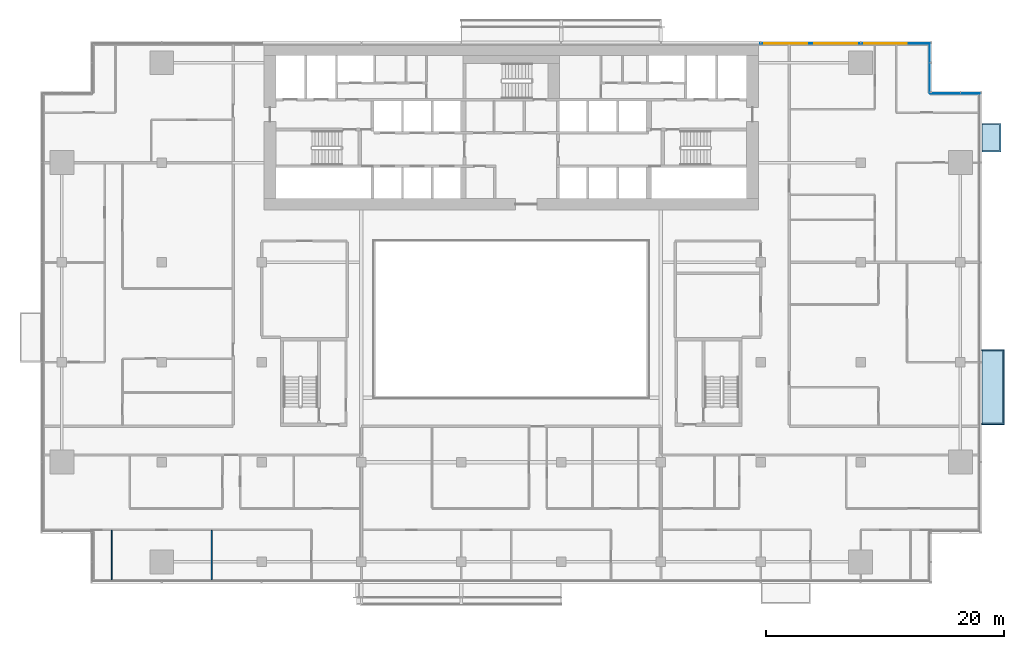
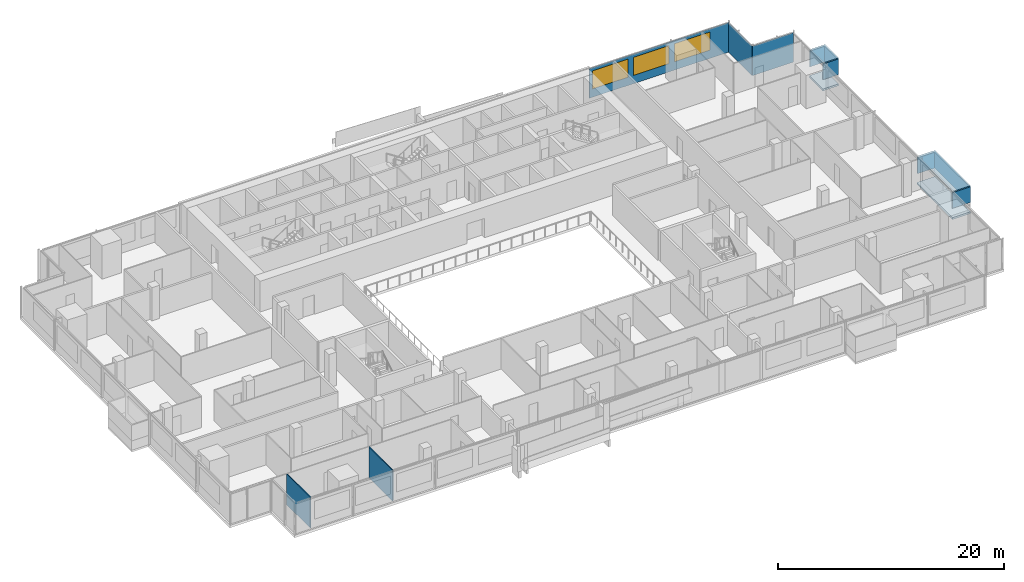
# One storey, part 16 of 26: 7 plates, 3 windows, 2 slabs, 2 walls, 3 openings, 3 elements without a shape of their own.
"""IFC4 building model written with IfcOpenShell, lengths in metres."""

from ifc_helpers import new_model, si_unit, direction, frame, frame_2d, origin, place, context, subcontext, project, spatial, polyline, rectangle, outline, extrude, material, layer, layer_set, type_object, element, fill, aggregate, save


model = new_model("IFC4")

# Units and contexts
model_context = context("Model", 3, precision=1e-05, world=origin(), true_north=direction((0.0, 1.0)))
body_context = subcontext(model_context, "Body", "Model", "MODEL_VIEW")
ifc_project = project(units=[si_unit("LENGTHUNIT", "METRE"), si_unit("AREAUNIT", "SQUARE_METRE"), si_unit("VOLUMEUNIT", "CUBIC_METRE"), si_unit("PLANEANGLEUNIT", "RADIAN"), si_unit("MASSUNIT", "GRAM", prefix="KILO")], contexts=[model_context])

# Site, building, storey
site_placement = place(None, origin())
site = spatial("IfcSite", under=ifc_project, at=site_placement, CompositionType="ELEMENT")
building_placement = place(site_placement, origin())
building = spatial("IfcBuilding", under=site, at=building_placement, Name="Saffron Gate Tower", CompositionType="ELEMENT")
storey_placement = place(building_placement, frame((0.0, 0.0, 120.449951171875)))
storey = spatial("IfcBuildingStorey", under=building, at=storey_placement, Name="L28", CompositionType="ELEMENT", Elevation=120.449951171875)

# Curtain wall, plate, openings, windows
ifc_material_1 = material(Name="Aluminium, bronze anodised", Category="aluminium")
curtain_wall_type_1 = type_object("IfcCurtainWallType", Name="CWS3 curtain wall rear facade", PredefinedType="NOTDEFINED", material=ifc_material_1)
curtain_wall_1_placement = place(storey_placement, origin())
curtain_wall_1 = element("IfcCurtainWall", 1, at=curtain_wall_1_placement, inside=storey, type_object=curtain_wall_type_1, Name="CWS3 run 7", PredefinedType="NOTDEFINED")
ifc_material_2 = material(Name="Fritted grey-tinted laminated glass", Category="glass")
ifc_layer_1 = layer(ifc_material_2, 0.028076171875)
ifc_layer_set_1 = layer_set([ifc_layer_1], Name="CWS3 fixed glass")
plate_type_1 = type_object("IfcPlateType", Name="CWS3 fixed glass", PredefinedType="CURTAIN_PANEL", material=ifc_layer_set_1)
plate_1_placement = place(storey_placement, frame((122.81201171875, 75.426025390625, 0.0), z_axis=(0.0, 0.0, 1.0), x_axis=(-1.0, 0.0, 0.0)))
plate_1 = element("IfcPlate", 2, at=plate_1_placement, type_object=plate_type_1, Name="CWS3 glass panel", PredefinedType="CURTAIN_PANEL", context=body_context, shape_type="SweptSolid", body=[
    extrude(rectangle(XDim=14.2470703125, YDim=0.028076171875, at=frame_2d((7.12353515625, 0.0))), origin(), (0.0, 0.0, 1.0), 3.199951171875),
])
opening_1_placement = place(plate_1_placement, frame((1.912109375, 0.0, 0.89990234375)))
opening_1 = element("IfcOpeningElement", 3, at=opening_1_placement, cuts=plate_1, Name="Opening W1", PredefinedType="OPENING", context=body_context, shape_type="SweptSolid", body=[
    extrude(rectangle(XDim=3.60009765625, YDim=1.949951171875, at=frame_2d((1.800048828125, 0.97509765625))), frame((0.0, 0.02392578125, 0.0), z_axis=(0.0, -1.0, 0.0), x_axis=(1.0, 0.0, 0.0)), (0.0, 0.0, 1.0), 0.048095703125),
])
opening_2_placement = place(plate_1_placement, frame((6.112060546875, 0.0, 0.89990234375)))
opening_2 = element("IfcOpeningElement", 4, at=opening_2_placement, cuts=plate_1, Name="Opening W1", PredefinedType="OPENING", context=body_context, shape_type="SweptSolid", body=[
    extrude(rectangle(XDim=3.60009765625, YDim=1.949951171875, at=frame_2d((1.800048828125, 0.97509765625))), frame((0.0, 0.02392578125, 0.0), z_axis=(0.0, -1.0, 0.0), x_axis=(1.0, 0.0, 0.0)), (0.0, 0.0, 1.0), 0.048095703125),
])
opening_3_placement = place(plate_1_placement, frame((10.31201171875, 0.0, 0.89990234375)))
opening_3 = element("IfcOpeningElement", 5, at=opening_3_placement, cuts=plate_1, Name="Opening W1", PredefinedType="OPENING", context=body_context, shape_type="SweptSolid", body=[
    extrude(rectangle(XDim=3.60009765625, YDim=1.949951171875, at=frame_2d((1.800048828125, 0.97509765625))), frame((0.0, 0.02392578125, 0.0), z_axis=(0.0, -1.0, 0.0), x_axis=(1.0, 0.0, 0.0)), (0.0, 0.0, 1.0), 0.048095703125),
])
ifc_material_3 = material(Name="Fritted bronze-tinted laminated glass in bronze frame", Category="glass")
ifc_layer_2 = layer(ifc_material_3, 0.06005859375)
ifc_layer_set_2 = layer_set([ifc_layer_2], Name="W1 operable panel 3600x1950")
window_type = type_object("IfcWindowType", Name="W1 operable panel 3600x1950", PartitioningType="DOUBLE_PANEL_HORIZONTAL", PredefinedType="WINDOW", material=ifc_layer_set_2)
window_1_placement = place(opening_1_placement, origin())
window_1 = element("IfcWindow", 6, at=window_1_placement, type_object=window_type, Name="W1 operable panel", OverallHeight=1.949951171875, OverallWidth=3.60009765625, PartitioningType="SINGLE_PANEL", PredefinedType="WINDOW", context=body_context, shape_type="SweptSolid", body=[
    extrude(rectangle(XDim=3.60009765625, YDim=1.949951171875, at=frame_2d((1.800048828125, 0.97509765625))), frame((0.0, 0.013671875, 0.0), z_axis=(0.0, -1.0, 0.0), x_axis=(1.0, 0.0, 0.0)), (0.0, 0.0, 1.0), 0.027587890625),
])
fill(opening_1, window_1)
window_2_placement = place(opening_2_placement, origin())
window_2 = element("IfcWindow", 7, at=window_2_placement, type_object=window_type, Name="W1 operable panel", OverallHeight=1.949951171875, OverallWidth=3.60009765625, PartitioningType="SINGLE_PANEL", PredefinedType="WINDOW", context=body_context, shape_type="SweptSolid", body=[
    extrude(rectangle(XDim=3.60009765625, YDim=1.949951171875, at=frame_2d((1.800048828125, 0.97509765625))), frame((0.0, 0.013671875, 0.0), z_axis=(0.0, -1.0, 0.0), x_axis=(1.0, 0.0, 0.0)), (0.0, 0.0, 1.0), 0.027587890625),
])
fill(opening_2, window_2)
window_3_placement = place(opening_3_placement, origin())
window_3 = element("IfcWindow", 8, at=window_3_placement, type_object=window_type, Name="W1 operable panel", OverallHeight=1.949951171875, OverallWidth=3.60009765625, PartitioningType="SINGLE_PANEL", PredefinedType="WINDOW", context=body_context, shape_type="SweptSolid", body=[
    extrude(rectangle(XDim=3.60009765625, YDim=1.949951171875, at=frame_2d((1.800048828125, 0.97509765625))), frame((0.0, 0.013671875, 0.0), z_axis=(0.0, -1.0, 0.0), x_axis=(1.0, 0.0, 0.0)), (0.0, 0.0, 1.0), 0.027587890625),
])
fill(opening_3, window_3)
aggregate(curtain_wall_1, [plate_1, window_1, window_2, window_3])

# Curtain wall, plate
curtain_wall_type_2 = type_object("IfcCurtainWallType", Name="CWS4 curtain wall corner returns", PredefinedType="NOTDEFINED", material=ifc_material_1)
curtain_wall_2_placement = place(storey_placement, origin())
curtain_wall_2 = element("IfcCurtainWall", 9, at=curtain_wall_2_placement, inside=storey, type_object=curtain_wall_type_2, Name="CWS4 run 5", PredefinedType="NOTDEFINED")
ifc_material_4 = material(Name="Fritted bronze-tinted laminated glass", Category="glass")
ifc_layer_3 = layer(ifc_material_4, 0.028076171875)
ifc_layer_set_3 = layer_set([ifc_layer_3], Name="CWS4 fixed glass")
plate_type_2 = type_object("IfcPlateType", Name="CWS4 fixed glass", PredefinedType="CURTAIN_PANEL", material=ifc_layer_set_3)
plate_2_placement = place(storey_placement, frame((127.011962890625, 71.22607421875, 0.0), z_axis=(0.0, 0.0, 1.0), x_axis=(-1.0, 0.0, 0.0)))
plate_2 = element("IfcPlate", 10, at=plate_2_placement, type_object=plate_type_2, Name="CWS4 glass panel", PredefinedType="CURTAIN_PANEL", context=body_context, shape_type="SweptSolid", body=[
    extrude(rectangle(XDim=4.171875, YDim=0.028076171875, at=frame_2d((2.0859375, 0.0))), origin(), (0.0, 0.0, 1.0), 3.199951171875),
])
aggregate(curtain_wall_2, [plate_2])

curtain_wall_3_placement = place(storey_placement, origin())
curtain_wall_3 = element("IfcCurtainWall", 11, at=curtain_wall_3_placement, inside=storey, type_object=curtain_wall_type_2, Name="CWS4 run 6", PredefinedType="NOTDEFINED")
plate_3_placement = place(storey_placement, frame((122.825927734375, 71.239990234375, 0.0), z_axis=(0.0, 0.0, 1.0), x_axis=(0.0, 1.0, 0.0)))
plate_3 = element("IfcPlate", 12, at=plate_3_placement, type_object=plate_type_2, Name="CWS4 glass panel", PredefinedType="CURTAIN_PANEL", context=body_context, shape_type="SweptSolid", body=[
    extrude(rectangle(XDim=4.172119140625, YDim=0.028076171875, at=frame_2d((2.0859375, 0.0))), origin(), (0.0, 0.0, 1.0), 3.199951171875),
])
aggregate(curtain_wall_3, [plate_3])

# Slabs
ifc_material_5 = material(Name="Timber deck on bronze frame", Category="wood")
ifc_layer_4 = layer(ifc_material_5, 0.199951171875)
ifc_layer_set_4 = layer_set([ifc_layer_4], Name="WB1 box floor")
slab_type = type_object("IfcSlabType", Name="WB1 box floor", PredefinedType="FLOOR", material=ifc_layer_set_4)
slab_1_placement = place(storey_placement, frame((0.0, 0.0, -0.199951171875)))
element("IfcSlab", 13, at=slab_1_placement, inside=storey, type_object=slab_type, Name="WINDOW BOX floor", PredefinedType="FLOOR", context=body_context, shape_type="SweptSolid", body=[
    extrude(outline(polyline([(127.199951171875, 43.35009765625), (127.199951171875, 49.64990234375), (129.06689453125, 49.64990234375), (129.06689453125, 43.35009765625), (127.199951171875, 43.35009765625)])), origin(), (0.0, 0.0, 1.0), 0.199951171875),
])
slab_2_placement = place(storey_placement, frame((0.0, 0.0, -0.199951171875)))
element("IfcSlab", 14, at=slab_2_placement, inside=storey, type_object=slab_type, Name="WINDOW BOX floor", PredefinedType="FLOOR", context=body_context, shape_type="SweptSolid", body=[
    extrude(outline(polyline([(127.199951171875, 66.300048828125), (127.199951171875, 68.699951171875), (128.800048828125, 68.699951171875), (128.800048828125, 66.300048828125), (127.199951171875, 66.300048828125)])), origin(), (0.0, 0.0, 1.0), 0.199951171875),
])

# Plates
ifc_layer_5 = layer(ifc_material_1, 0.1201171875)
ifc_layer_set_5 = layer_set([ifc_layer_5], Name="WB2 box roof")
plate_type_3 = type_object("IfcPlateType", Name="WB2 box roof", PredefinedType="SHEET", material=ifc_layer_set_5)
plate_4_placement = place(storey_placement, frame((0.0, 0.0, 2.699951171875)))
element("IfcPlate", 15, at=plate_4_placement, inside=storey, type_object=plate_type_3, Name="WINDOW BOX roof", PredefinedType="SHEET", context=body_context, shape_type="SweptSolid", body=[
    extrude(outline(polyline([(127.199951171875, 43.35009765625), (127.199951171875, 49.64990234375), (129.06689453125, 49.64990234375), (129.06689453125, 43.35009765625), (127.199951171875, 43.35009765625)])), origin(), (0.0, 0.0, 1.0), 0.1201171875),
])
plate_5_placement = place(storey_placement, frame((0.0, 0.0, 2.699951171875)))
element("IfcPlate", 16, at=plate_5_placement, inside=storey, type_object=plate_type_3, Name="WINDOW BOX roof", PredefinedType="SHEET", context=body_context, shape_type="SweptSolid", body=[
    extrude(outline(polyline([(127.199951171875, 66.300048828125), (127.199951171875, 68.699951171875), (128.800048828125, 68.699951171875), (128.800048828125, 66.300048828125), (127.199951171875, 66.300048828125)])), origin(), (0.0, 0.0, 1.0), 0.1201171875),
])
ifc_material_6 = material(Name="Clear low-iron laminated glass", Category="glass")
ifc_layer_6 = layer(ifc_material_6, 0.10009765625)
ifc_layer_set_6 = layer_set([ifc_layer_6], Name="WB6 box glazing")
plate_type_4 = type_object("IfcPlateType", Name="WB6 box glazing", PredefinedType="SHEET", material=ifc_layer_set_6)
plate_6_placement = place(storey_placement, frame((0.0, 0.0, 1.0)))
element("IfcPlate", 17, at=plate_6_placement, inside=storey, type_object=plate_type_4, Name="WINDOW BOX glazing", PredefinedType="SHEET", context=body_context, shape_type="SweptSolid", body=[
    extrude(outline(polyline([(127.199951171875, 43.35009765625), (127.199951171875, 43.449951171875), (128.967041015625, 43.449951171875), (128.967041015625, 49.550048828125), (127.199951171875, 49.550048828125), (127.199951171875, 49.64990234375), (129.06689453125, 49.64990234375), (129.06689453125, 43.35009765625), (127.199951171875, 43.35009765625)])), origin(), (0.0, 0.0, 1.0), 1.699951171875),
])
plate_7_placement = place(storey_placement, frame((0.0, 0.0, 1.0)))
element("IfcPlate", 18, at=plate_7_placement, inside=storey, type_object=plate_type_4, Name="WINDOW BOX glazing", PredefinedType="SHEET", context=body_context, shape_type="SweptSolid", body=[
    extrude(outline(polyline([(127.199951171875, 66.300048828125), (127.199951171875, 66.39990234375), (128.699951171875, 66.39990234375), (128.699951171875, 68.60009765625), (127.199951171875, 68.60009765625), (127.199951171875, 68.699951171875), (128.800048828125, 68.699951171875), (128.800048828125, 66.300048828125), (127.199951171875, 66.300048828125)])), origin(), (0.0, 0.0, 1.0), 1.699951171875),
])

# Walls
ifc_material_7 = material(Name="Plasterboard on steel studs", Category="steel")
ifc_layer_7 = layer(ifc_material_7, 0.10009765625)
ifc_layer_set_7 = layer_set([ifc_layer_7], Name="PW1 Partition 100")
wall_type = type_object("IfcWallType", Name="PW1 Partition 100", PredefinedType="PARTITIONING", material=ifc_layer_set_7)
for number, where, z_axis, x_axis, name in (
    (19, (54.0, 34.449951171875, 0.0), (0.0, 0.0, 1.0), (0.0, -1.0, 0.0), "Partition B3-48"),
    (20, (62.39990234375, 34.449951171875, 0.0), (0.0, 0.0, 1.0), (0.0, -1.0, 0.0), "Partition B3-54"),
):
    element("IfcWall", number, at=place(storey_placement, frame(where, z_axis=z_axis, x_axis=x_axis)), inside=storey, type_object=wall_type, Name=name, PredefinedType="PARTITIONING", context=body_context, shape_type="SweptSolid", body=[
        extrude(rectangle(XDim=4.169921875, YDim=0.10009765625, at=frame_2d((2.0849609375, 0.0))), origin(), (0.0, 0.0, 1.0), 3.320068359375),
    ])

save(model, "model.ifc")
